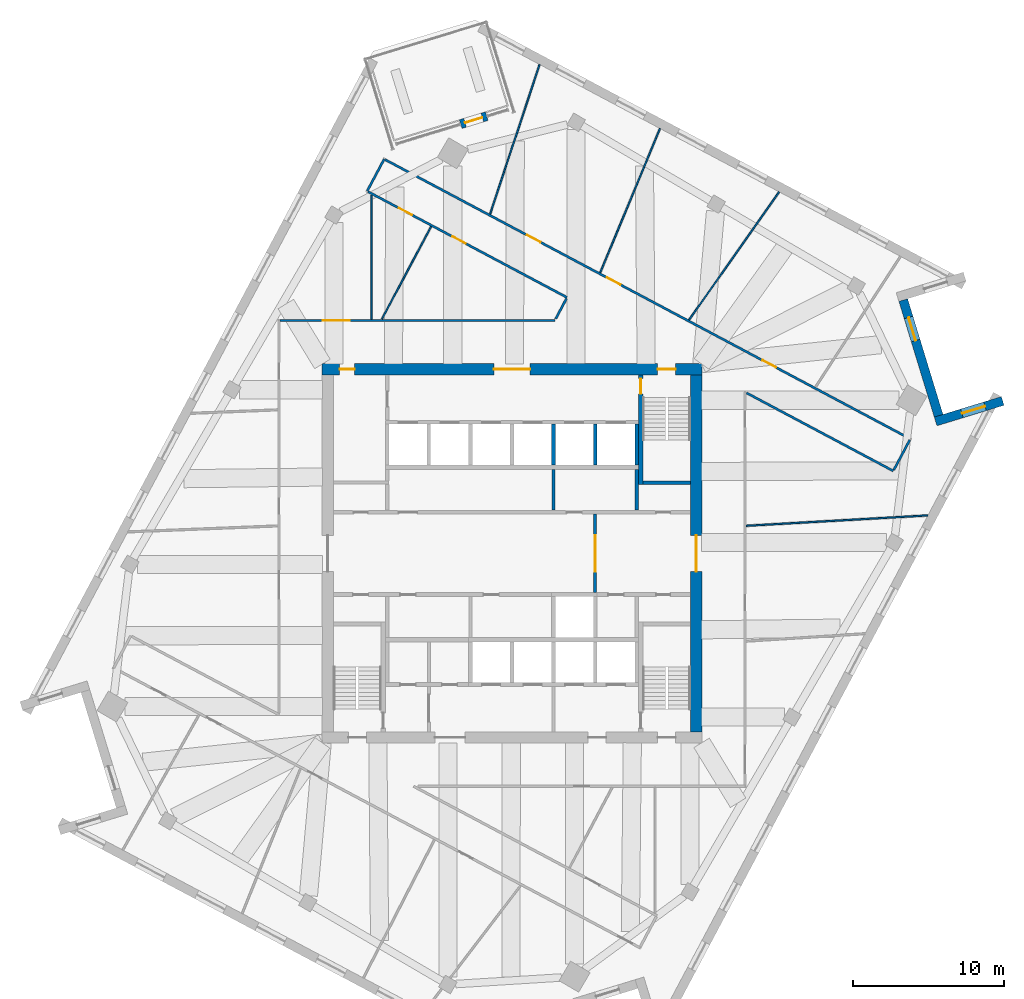
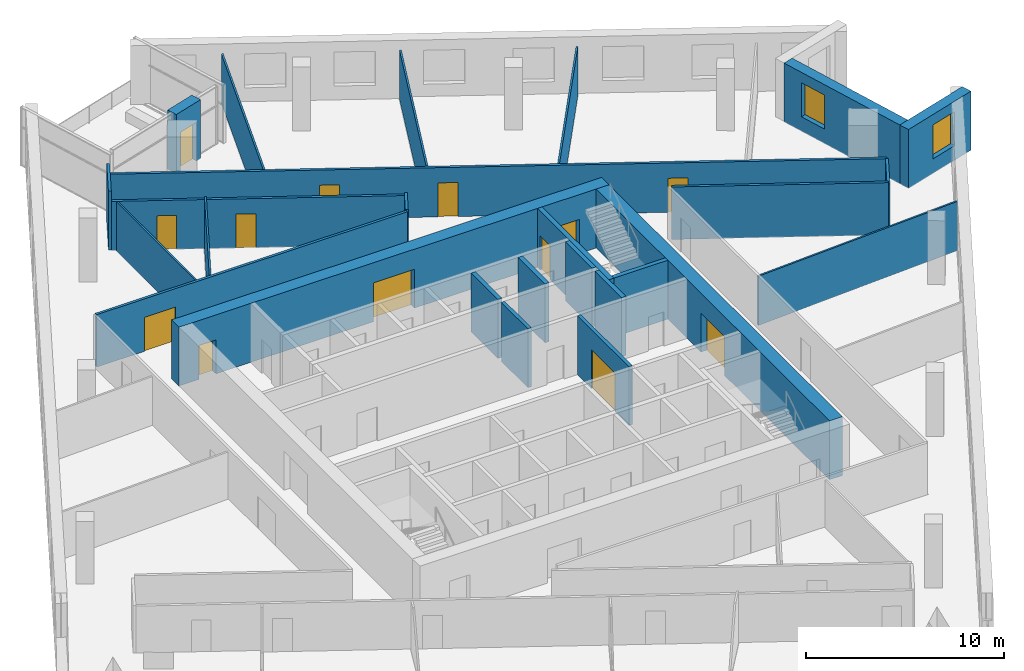
# One storey, part 10 of 13: 26 walls, 13 doors, 2 windows, 15 openings.
"""IFC4 building model written with IfcOpenShell, lengths in metres."""

from ifc_helpers import new_model, si_unit, direction, frame, frame_2d, origin, place, context, subcontext, project, spatial, rectangle, extrude, material, layer, layer_set, type_object, element, fill, save


model = new_model("IFC4")

# Units and contexts
model_context = context("Model", 3, precision=1e-05, world=origin(), true_north=direction((0.0, 1.0)))
body_context = subcontext(model_context, "Body", "Model", "MODEL_VIEW")
ifc_project = project(units=[si_unit("LENGTHUNIT", "METRE"), si_unit("AREAUNIT", "SQUARE_METRE"), si_unit("VOLUMEUNIT", "CUBIC_METRE"), si_unit("PLANEANGLEUNIT", "RADIAN"), si_unit("MASSUNIT", "GRAM", prefix="KILO")], contexts=[model_context])

# Site, building, storey
site_placement = place(None, origin())
site = spatial("IfcSite", under=ifc_project, at=site_placement, CompositionType="ELEMENT")
building_placement = place(site_placement, origin())
building = spatial("IfcBuilding", under=site, at=building_placement, Name="Dilmun Exchange Tower", CompositionType="ELEMENT")
storey_placement = place(building_placement, frame((0.0, 0.0, 278.89990234375)))
storey = spatial("IfcBuildingStorey", under=building, at=storey_placement, Name="L66", CompositionType="ELEMENT", Elevation=278.89990234375)

# Wall, opening, door
ifc_material_1 = material(Name="Concrete C40/50", Category="concrete")
ifc_layer_1 = layer(ifc_material_1, 0.199951171875)
ifc_layer_set_1 = layer_set([ifc_layer_1], Name="Concrete C40/50")
wall_type_1 = type_object("IfcWallType", Name="Core partition wall 200", PredefinedType="PARTITIONING", material=ifc_layer_set_1)
wall_1_placement = place(storey_placement, frame((5.5, -2.594970703125, 0.0), z_axis=(0.0, 0.0, 1.0), x_axis=(0.0, 1.0, 0.0)))
wall_1 = element("IfcWall", 1, at=wall_1_placement, inside=storey, type_object=wall_type_1, Name="L66 core partition wall 12", PredefinedType="PARTITIONING", context=body_context, shape_type="SweptSolid", body=[
    extrude(rectangle(XDim=5.18994140625, YDim=0.199951171875, at=frame_2d((2.594970703125, 0.0))), origin(), (0.0, 0.0, 1.0), 3.64013671875),
])
opening_1_placement = place(wall_1_placement, frame((1.39501953125, 0.0, 0.0)))
opening_1 = element("IfcOpeningElement", 2, at=opening_1_placement, cuts=wall_1, Name="Opening CD1", PredefinedType="OPENING", context=body_context, shape_type="SweptSolid", body=[
    extrude(rectangle(XDim=2.39990234375, YDim=2.39990234375, at=frame_2d((1.199951171875, 1.199951171875))), frame((0.0, 0.10986328125, 0.0), z_axis=(0.0, -1.0, 0.0), x_axis=(1.0, 0.0, 0.0)), (0.0, 0.0, 1.0), 0.219970703125),
])
ifc_material_2 = material(Name="Fire-rated steel door set", Category="steel")
door_type_1 = type_object("IfcDoorType", Name="Core lobby door 2400x2400", OperationType="DOUBLE_DOOR_DOUBLE_SWING", PredefinedType="DOOR", material=ifc_material_2)
door_1_placement = place(opening_1_placement, origin())
door_1 = element("IfcDoor", 3, at=door_1_placement, inside=storey, type_object=door_type_1, Name="L66 door Lift lobby east", OperationType="SINGLE_SWING_LEFT", OverallHeight=2.39990234375, OverallWidth=2.39990234375, PredefinedType="DOOR", context=body_context, shape_type="SweptSolid", body=[
    extrude(rectangle(XDim=2.39990234375, YDim=2.39990234375, at=frame_2d((1.199951171875, 1.199951171875))), frame((0.0, 0.02490234375, 0.0), z_axis=(0.0, -1.0, 0.0), x_axis=(1.0, 0.0, 0.0)), (0.0, 0.0, 1.0), 0.050048828125),
])
fill(opening_1, door_1)

# Walls
wall_2_placement = place(storey_placement, frame((2.75, 2.85498046875, 0.0), z_axis=(0.0, 0.0, 1.0), x_axis=(0.0, 1.0, 0.0)))
element("IfcWall", 4, at=wall_2_placement, inside=storey, type_object=wall_type_1, Name="L66 core partition wall 15", PredefinedType="PARTITIONING", context=body_context, shape_type="SweptSolid", body=[
    extrude(rectangle(XDim=2.68994140625, YDim=0.199951171875, at=frame_2d((1.344970703125, 0.0))), origin(), (0.0, 0.0, 1.0), 3.64013671875),
])
ifc_layer_2 = layer(ifc_material_1, 0.25)
ifc_layer_set_2 = layer_set([ifc_layer_2], Name="Concrete C40/50")
wall_type_2 = type_object("IfcWallType", Name="Core partition wall 250", PredefinedType="PARTITIONING", material=ifc_layer_set_2)
wall_3_placement = place(storey_placement, frame((8.25, 2.85498046875, 0.0), z_axis=(0.0, 0.0, 1.0), x_axis=(0.0, 1.0, 0.0)))
element("IfcWall", 5, at=wall_3_placement, inside=storey, type_object=wall_type_2, Name="L66 core partition wall 16", PredefinedType="PARTITIONING", context=body_context, shape_type="SweptSolid", body=[
    extrude(rectangle(XDim=2.68994140625, YDim=0.25, at=frame_2d((1.344970703125, 0.0))), origin(), (0.0, 0.0, 1.0), 3.64013671875),
])

# Wall, openings, doors
ifc_material_3 = material(Name="Concrete C50/60", Category="concrete")
ifc_layer_3 = layer(ifc_material_3, 0.75)
ifc_layer_set_3 = layer_set([ifc_layer_3], Name="Concrete C50/60")
wall_type_3 = type_object("IfcWallType", Name="Core shear wall 750 Concrete C50/60", PredefinedType="SHEAR", material=ifc_layer_set_3)
wall_4_placement = place(storey_placement, frame((-12.550048828125, 12.175048828125, 0.0), z_axis=(0.0, 0.0, 1.0), x_axis=(1.0, 0.0, 0.0)))
wall_4 = element("IfcWall", 6, at=wall_4_placement, inside=storey, type_object=wall_type_3, Name="L66 core shear wall N", PredefinedType="SHEAR", context=body_context, shape_type="SweptSolid", body=[
    extrude(rectangle(XDim=25.10009765625, YDim=0.75, at=frame_2d((12.550048828125, 0.0))), origin(), (0.0, 0.0, 1.0), 3.64013671875),
])
opening_2_placement = place(wall_4_placement, frame((11.35009765625, 0.0, 0.0)))
opening_2 = element("IfcOpeningElement", 7, at=opening_2_placement, cuts=wall_4, Name="Opening CD1", PredefinedType="OPENING", context=body_context, shape_type="SweptSolid", body=[
    extrude(rectangle(XDim=2.39990234375, YDim=2.39990234375, at=frame_2d((1.199951171875, 1.199951171875))), frame((0.0, 0.385009765625, 0.0), z_axis=(0.0, -1.0, 0.0), x_axis=(1.0, 0.0, 0.0)), (0.0, 0.0, 1.0), 0.77001953125),
])
opening_3_placement = place(wall_4_placement, frame((22.175048828125, 0.0, 0.0)))
opening_3 = element("IfcOpeningElement", 8, at=opening_3_placement, cuts=wall_4, Name="Opening CD3", PredefinedType="OPENING", context=body_context, shape_type="SweptSolid", body=[
    extrude(rectangle(XDim=1.199951171875, YDim=2.10009765625, at=frame_2d((0.60009765625, 1.050048828125))), frame((0.0, 0.385009765625, 0.0), z_axis=(0.0, -1.0, 0.0), x_axis=(1.0, 0.0, 0.0)), (0.0, 0.0, 1.0), 0.77001953125),
])
opening_4_placement = place(wall_4_placement, frame((1.14990234375, 0.0, 0.0)))
opening_4 = element("IfcOpeningElement", 9, at=opening_4_placement, cuts=wall_4, Name="Opening CD4", PredefinedType="OPENING", context=body_context, shape_type="SweptSolid", body=[
    extrude(rectangle(XDim=1.0, YDim=2.10009765625, at=frame_2d((0.5, 1.050048828125))), frame((0.0, 0.385009765625, 0.0), z_axis=(0.0, -1.0, 0.0), x_axis=(1.0, 0.0, 0.0)), (0.0, 0.0, 1.0), 0.77001953125),
])
door_2_placement = place(opening_2_placement, origin())
door_2 = element("IfcDoor", 10, at=door_2_placement, inside=storey, type_object=door_type_1, Name="L66 door North lift lobby", OperationType="SINGLE_SWING_LEFT", OverallHeight=2.39990234375, OverallWidth=2.39990234375, PredefinedType="DOOR", context=body_context, shape_type="SweptSolid", body=[
    extrude(rectangle(XDim=2.39990234375, YDim=2.39990234375, at=frame_2d((1.199951171875, 1.199951171875))), frame((0.0, 0.02490234375, 0.0), z_axis=(0.0, -1.0, 0.0), x_axis=(1.0, 0.0, 0.0)), (0.0, 0.0, 1.0), 0.050048828125),
])
fill(opening_2, door_2)
door_type_2 = type_object("IfcDoorType", Name="Core room door 1000x2100", OperationType="SINGLE_SWING_LEFT", PredefinedType="DOOR", material=ifc_material_2)
door_3_placement = place(opening_4_placement, origin())
door_3 = element("IfcDoor", 11, at=door_3_placement, inside=storey, type_object=door_type_2, Name="L66 door North-west core rooms", OperationType="SINGLE_SWING_LEFT", OverallHeight=2.10009765625, OverallWidth=1.0, PredefinedType="DOOR", context=body_context, shape_type="SweptSolid", body=[
    extrude(rectangle(XDim=1.0, YDim=2.10009765625, at=frame_2d((0.5, 1.050048828125))), frame((0.0, 0.02490234375, 0.0), z_axis=(0.0, -1.0, 0.0), x_axis=(1.0, 0.0, 0.0)), (0.0, 0.0, 1.0), 0.050048828125),
])
fill(opening_4, door_3)
door_type_3 = type_object("IfcDoorType", Name="Stair exit door 1200x2100", OperationType="SINGLE_SWING_LEFT", PredefinedType="DOOR", material=ifc_material_2)
door_4_placement = place(opening_3_placement, origin())
door_4 = element("IfcDoor", 12, at=door_4_placement, inside=storey, type_object=door_type_3, Name="L66 door Stair ST1", OperationType="SINGLE_SWING_LEFT", OverallHeight=2.10009765625, OverallWidth=1.199951171875, PredefinedType="DOOR", context=body_context, shape_type="SweptSolid", body=[
    extrude(rectangle(XDim=1.199951171875, YDim=2.10009765625, at=frame_2d((0.60009765625, 1.050048828125))), frame((0.0, 0.02490234375, 0.0), z_axis=(0.0, -1.0, 0.0), x_axis=(1.0, 0.0, 0.0)), (0.0, 0.0, 1.0), 0.050048828125),
])
fill(opening_3, door_4)

# Wall, opening, door
wall_5_placement = place(storey_placement, frame((12.175048828125, -11.800048828125, 0.0), z_axis=(0.0, 0.0, 1.0), x_axis=(0.0, 1.0, 0.0)))
wall_5 = element("IfcWall", 13, at=wall_5_placement, inside=storey, type_object=wall_type_3, Name="L66 core shear wall E", PredefinedType="SHEAR", context=body_context, shape_type="SweptSolid", body=[
    extrude(rectangle(XDim=23.60009765625, YDim=0.75, at=frame_2d((11.800048828125, 0.0))), origin(), (0.0, 0.0, 1.0), 3.64013671875),
])
opening_5_placement = place(wall_5_placement, frame((10.60009765625, 0.0, 0.0)))
opening_5 = element("IfcOpeningElement", 14, at=opening_5_placement, cuts=wall_5, Name="Opening CD1", PredefinedType="OPENING", context=body_context, shape_type="SweptSolid", body=[
    extrude(rectangle(XDim=2.39990234375, YDim=2.39990234375, at=frame_2d((1.199951171875, 1.199951171875))), frame((0.0, 0.385009765625, 0.0), z_axis=(0.0, -1.0, 0.0), x_axis=(1.0, 0.0, 0.0)), (0.0, 0.0, 1.0), 0.77001953125),
])
door_5_placement = place(opening_5_placement, origin())
door_5 = element("IfcDoor", 15, at=door_5_placement, inside=storey, type_object=door_type_1, Name="L66 door Central lift lobby", OperationType="SINGLE_SWING_LEFT", OverallHeight=2.39990234375, OverallWidth=2.39990234375, PredefinedType="DOOR", context=body_context, shape_type="SweptSolid", body=[
    extrude(rectangle(XDim=2.39990234375, YDim=2.39990234375, at=frame_2d((1.199951171875, 1.199951171875))), frame((0.0, 0.02490234375, 0.0), z_axis=(0.0, -1.0, 0.0), x_axis=(1.0, 0.0, 0.0)), (0.0, 0.0, 1.0), 0.050048828125),
])
fill(opening_5, door_5)

ifc_material_4 = material(Name="Corridor wall 150")
ifc_layer_4 = layer(ifc_material_4, 0.14990234375)
ifc_layer_set_4 = layer_set([ifc_layer_4], Name="Corridor wall 150")
wall_type_4 = type_object("IfcWallType", Name="Corridor wall 150", PredefinedType="PARTITIONING", material=ifc_layer_set_4)
wall_6_placement = place(storey_placement, frame((-15.324951171875, 15.39990234375, 0.0), z_axis=(0.0, 0.0, 1.0), x_axis=(1.0, 0.0, 0.0)))
wall_6 = element("IfcWall", 16, at=wall_6_placement, inside=storey, type_object=wall_type_4, Name="Corridor wall", PredefinedType="PARTITIONING", context=body_context, shape_type="SweptSolid", body=[
    extrude(rectangle(XDim=18.155029296875, YDim=0.14990234375, at=frame_2d((9.07763671875, 0.0))), origin(), (0.0, 0.0, 1.0), 3.239990234375),
])
opening_6_placement = place(wall_6_placement, frame((2.800048828125, 0.0, 0.0)))
opening_6 = element("IfcOpeningElement", 17, at=opening_6_placement, cuts=wall_6, Name="Opening TF65-D06", PredefinedType="OPENING", context=body_context, shape_type="SweptSolid", body=[
    extrude(rectangle(XDim=1.800048828125, YDim=2.10009765625, at=frame_2d((0.89990234375, 1.050048828125))), frame((0.0, 0.0849609375, 0.0), z_axis=(0.0, -1.0, 0.0), x_axis=(1.0, 0.0, 0.0)), (0.0, 0.0, 1.0), 0.169921875),
])
ifc_material_5 = material(Name="Fire door pair 1800 x 2100")
door_type_4 = type_object("IfcDoorType", Name="Fire door pair 1800 x 2100", OperationType="NOTDEFINED", PredefinedType="DOOR", material=ifc_material_5)
door_6_placement = place(opening_6_placement, origin())
door_6 = element("IfcDoor", 18, at=door_6_placement, inside=storey, type_object=door_type_4, Name="Door TF65-D06", OperationType="DOUBLE_DOOR_SINGLE_SWING", OverallHeight=2.10009765625, OverallWidth=1.800048828125, PredefinedType="DOOR", context=body_context, shape_type="SweptSolid", body=[
    extrude(rectangle(XDim=1.800048828125, YDim=2.10009765625, at=frame_2d((0.89990234375, 1.050048828125))), frame((0.0, 0.02490234375, 0.0), z_axis=(0.0, -1.0, 0.0), x_axis=(1.0, 0.0, 0.0)), (0.0, 0.0, 1.0), 0.050048828125),
])
fill(opening_6, door_6)

# Wall
wall_7_placement = place(storey_placement, frame((-9.577880859375, 23.948974609375, 0.0), z_axis=(0.0, 0.0, 1.0), x_axis=(0.469531998299, 0.882915456073, 0.0)))
element("IfcWall", 19, at=wall_7_placement, inside=storey, type_object=wall_type_4, Name="Corridor wall", PredefinedType="PARTITIONING", context=body_context, shape_type="SweptSolid", body=[
    extrude(rectangle(XDim=2.400146484375, YDim=0.14990234375, at=frame_2d((1.2001953125, 0.0))), origin(), (0.0, 0.0, 1.0), 3.64013671875),
])

# Wall, openings, doors
wall_8_placement = place(storey_placement, frame((-9.51171875, 23.913818359375, 0.0), z_axis=(0.0, 0.0, 1.0), x_axis=(0.882964773335, -0.469439249583, 0.0)))
wall_8 = element("IfcWall", 20, at=wall_8_placement, inside=storey, type_object=wall_type_4, Name="Corridor wall", PredefinedType="PARTITIONING", context=body_context, shape_type="SweptSolid", body=[
    extrude(rectangle(XDim=14.893798828125, YDim=0.14990234375, at=frame_2d((7.44677734375, 0.0))), origin(), (0.0, 0.0, 1.0), 3.0400390625),
])
opening_7_placement = place(wall_8_placement, frame((2.29638671875, 0.0, 0.0)))
opening_7 = element("IfcOpeningElement", 21, at=opening_7_placement, cuts=wall_8, Name="Opening TF65-D08", PredefinedType="OPENING", context=body_context, shape_type="SweptSolid", body=[
    extrude(rectangle(XDim=1.0, YDim=2.10009765625, at=frame_2d((0.5, 1.050048828125))), frame((0.0, 0.0849609375, 0.0), z_axis=(0.0, -1.0, 0.0), x_axis=(1.0, 0.0, 0.0)), (0.0, 0.0, 1.0), 0.169921875),
])
opening_8_placement = place(wall_8_placement, frame((6.306640625, 0.0, 0.0)))
opening_8 = element("IfcOpeningElement", 22, at=opening_8_placement, cuts=wall_8, Name="Opening TF65-D10", PredefinedType="OPENING", context=body_context, shape_type="SweptSolid", body=[
    extrude(rectangle(XDim=1.0, YDim=2.10009765625, at=frame_2d((0.5, 1.050048828125))), frame((0.0, 0.0849609375, 0.0), z_axis=(0.0, -1.0, 0.0), x_axis=(1.0, 0.0, 0.0)), (0.0, 0.0, 1.0), 0.169921875),
])
ifc_material_6 = material(Name="Fire door 1000 x 2100")
door_type_5 = type_object("IfcDoorType", Name="Fire door 1000 x 2100", OperationType="NOTDEFINED", PredefinedType="DOOR", material=ifc_material_6)
door_7_placement = place(opening_7_placement, frame((1.0, 0.0, 0.0), z_axis=(0.0, 0.0, 1.0), x_axis=(-1.0, 0.0, 0.0)))
door_7 = element("IfcDoor", 23, at=door_7_placement, inside=storey, type_object=door_type_5, Name="Door TF65-D08", OperationType="SINGLE_SWING_RIGHT", OverallHeight=2.10009765625, OverallWidth=1.0, PredefinedType="DOOR", context=body_context, shape_type="SweptSolid", body=[
    extrude(rectangle(XDim=1.0, YDim=2.10009765625, at=frame_2d((0.5, 1.050048828125))), frame((0.0, 0.02490234375, 0.0), z_axis=(0.0, -1.0, 0.0), x_axis=(1.0, 0.0, 0.0)), (0.0, 0.0, 1.0), 0.050048828125),
])
fill(opening_7, door_7)
door_8_placement = place(opening_8_placement, frame((1.0, 0.0, 0.0), z_axis=(0.0, 0.0, 1.0), x_axis=(-1.0, 0.0, 0.0)))
door_8 = element("IfcDoor", 24, at=door_8_placement, inside=storey, type_object=door_type_5, Name="Door TF65-D10", OperationType="SINGLE_SWING_LEFT", OverallHeight=2.10009765625, OverallWidth=1.0, PredefinedType="DOOR", context=body_context, shape_type="SweptSolid", body=[
    extrude(rectangle(XDim=1.0, YDim=2.10009765625, at=frame_2d((0.5, 1.050048828125))), frame((0.0, 0.02490234375, 0.0), z_axis=(0.0, -1.0, 0.0), x_axis=(1.0, 0.0, 0.0)), (0.0, 0.0, 1.0), 0.050048828125),
])
fill(opening_8, door_8)

wall_9_placement = place(storey_placement, frame((-8.384765625, 26.03271484375, 0.0), z_axis=(0.0, 0.0, 1.0), x_axis=(0.882949433839, -0.46946810039, 0.0)))
wall_9 = element("IfcWall", 25, at=wall_9_placement, inside=storey, type_object=wall_type_4, Name="Corridor wall", PredefinedType="PARTITIONING", context=body_context, shape_type="SweptSolid", body=[
    extrude(rectangle(XDim=39.32470703125, YDim=0.14990234375, at=frame_2d((19.662353515625, 0.0))), origin(), (0.0, 0.0, 1.0), 3.0400390625),
])
opening_9_placement = place(wall_9_placement, frame((10.6220703125, 0.0, 0.0)))
opening_9 = element("IfcOpeningElement", 26, at=opening_9_placement, cuts=wall_9, Name="Opening TF65-D12", PredefinedType="OPENING", context=body_context, shape_type="SweptSolid", body=[
    extrude(rectangle(XDim=1.0, YDim=2.10009765625, at=frame_2d((0.5, 1.050048828125))), frame((0.0, 0.0849609375, 0.0), z_axis=(0.0, -1.0, 0.0), x_axis=(1.0, 0.0, 0.0)), (0.0, 0.0, 1.0), 0.169921875),
])
opening_10_placement = place(wall_9_placement, frame((16.615478515625, 0.0, 0.0)))
opening_10 = element("IfcOpeningElement", 27, at=opening_10_placement, cuts=wall_9, Name="Opening TF65-D16", PredefinedType="OPENING", context=body_context, shape_type="SweptSolid", body=[
    extrude(rectangle(XDim=1.0, YDim=2.10009765625, at=frame_2d((0.5, 1.050048828125))), frame((0.0, 0.0849609375, 0.0), z_axis=(0.0, -1.0, 0.0), x_axis=(1.0, 0.0, 0.0)), (0.0, 0.0, 1.0), 0.169921875),
])
opening_11_placement = place(wall_9_placement, frame((28.254150390625, 0.0, 0.0)))
opening_11 = element("IfcOpeningElement", 28, at=opening_11_placement, cuts=wall_9, Name="Opening TF65-D17", PredefinedType="OPENING", context=body_context, shape_type="SweptSolid", body=[
    extrude(rectangle(XDim=1.0, YDim=2.10009765625, at=frame_2d((0.5, 1.050048828125))), frame((0.0, 0.0849609375, 0.0), z_axis=(0.0, -1.0, 0.0), x_axis=(1.0, 0.0, 0.0)), (0.0, 0.0, 1.0), 0.169921875),
])
door_9_placement = place(opening_9_placement, origin())
door_9 = element("IfcDoor", 29, at=door_9_placement, inside=storey, type_object=door_type_5, Name="Door TF65-D12", OperationType="SINGLE_SWING_RIGHT", OverallHeight=2.10009765625, OverallWidth=1.0, PredefinedType="DOOR", context=body_context, shape_type="SweptSolid", body=[
    extrude(rectangle(XDim=1.0, YDim=2.10009765625, at=frame_2d((0.5, 1.050048828125))), frame((0.0, 0.02490234375, 0.0), z_axis=(0.0, -1.0, 0.0), x_axis=(1.0, 0.0, 0.0)), (0.0, 0.0, 1.0), 0.050048828125),
])
fill(opening_9, door_9)
door_10_placement = place(opening_10_placement, origin())
door_10 = element("IfcDoor", 30, at=door_10_placement, inside=storey, type_object=door_type_5, Name="Door TF65-D16", OperationType="SINGLE_SWING_LEFT", OverallHeight=2.10009765625, OverallWidth=1.0, PredefinedType="DOOR", context=body_context, shape_type="SweptSolid", body=[
    extrude(rectangle(XDim=1.0, YDim=2.10009765625, at=frame_2d((0.5, 1.050048828125))), frame((0.0, 0.02490234375, 0.0), z_axis=(0.0, -1.0, 0.0), x_axis=(1.0, 0.0, 0.0)), (0.0, 0.0, 1.0), 0.050048828125),
])
fill(opening_10, door_10)
door_11_placement = place(opening_11_placement, origin())
door_11 = element("IfcDoor", 31, at=door_11_placement, inside=storey, type_object=door_type_5, Name="Door TF65-D17", OperationType="SINGLE_SWING_RIGHT", OverallHeight=2.10009765625, OverallWidth=1.0, PredefinedType="DOOR", context=body_context, shape_type="SweptSolid", body=[
    extrude(rectangle(XDim=1.0, YDim=2.10009765625, at=frame_2d((0.5, 1.050048828125))), frame((0.0, 0.02490234375, 0.0), z_axis=(0.0, -1.0, 0.0), x_axis=(1.0, 0.0, 0.0)), (0.0, 0.0, 1.0), 0.050048828125),
])
fill(opening_11, door_11)

# Walls
wall_10_placement = place(storey_placement, frame((2.888671875, 15.51025390625, 0.0), z_axis=(0.0, 0.0, 1.0), x_axis=(0.469315326783, 0.883030647286, 0.0)))
element("IfcWall", 32, at=wall_10_placement, inside=storey, type_object=wall_type_4, Name="Corridor wall", PredefinedType="PARTITIONING", context=body_context, shape_type="SweptSolid", body=[
    extrude(rectangle(XDim=1.523681640625, YDim=0.14990234375, at=frame_2d((0.76171875, 0.0))), origin(), (0.0, 0.0, 1.0), 3.239990234375),
])
wall_11_placement = place(storey_placement, frame((15.51025390625, 10.609375, 0.0), z_axis=(0.0, 0.0, 1.0), x_axis=(0.882945895242, -0.469474755525, 0.0)))
element("IfcWall", 33, at=wall_11_placement, inside=storey, type_object=wall_type_4, Name="Corridor wall", PredefinedType="PARTITIONING", context=body_context, shape_type="SweptSolid", body=[
    extrude(rectangle(XDim=10.985595703125, YDim=0.14990234375, at=frame_2d((5.49267578125, 0.0))), origin(), (0.0, 0.0, 1.0), 3.239990234375),
])
wall_12_placement = place(storey_placement, frame((25.2451171875, 5.518310546875, 0.0), z_axis=(0.0, 0.0, 1.0), x_axis=(0.469596777995, 0.882881003361, 0.0)))
element("IfcWall", 34, at=wall_12_placement, inside=storey, type_object=wall_type_4, Name="Corridor wall", PredefinedType="PARTITIONING", context=body_context, shape_type="SweptSolid", body=[
    extrude(rectangle(XDim=2.25, YDim=0.14990234375, at=frame_2d((1.125, 0.0))), origin(), (0.0, 0.0, 1.0), 3.0400390625),
])
ifc_layer_5 = layer(ifc_material_1, 0.25)
ifc_layer_set_5 = layer_set([ifc_layer_5], Name="Concrete C40/50")
wall_type_5 = type_object("IfcWallType", Name="Lift shaft wall 250", PredefinedType="SOLIDWALL", material=ifc_layer_set_5)
for number, where, z_axis, x_axis, name in (
    (35, (2.75, 5.85009765625, 0.0), (0.0, 0.0, 1.0), (0.0, 1.0, 0.0), "L66 lift shaft divider N24"),
    (36, (5.5, 5.85009765625, 0.0), (0.0, 0.0, 1.0), (0.0, 1.0, 0.0), "L66 lift shaft divider N25"),
    (37, (8.25, 5.85009765625, 0.0), (0.0, 0.0, 1.0), (0.0, 1.0, 0.0), "L66 lift shaft divider N26"),
):
    element("IfcWall", number, at=place(storey_placement, frame(where, z_axis=z_axis, x_axis=x_axis)), inside=storey, type_object=wall_type_5, Name=name, PredefinedType="SOLIDWALL", context=body_context, shape_type="SweptSolid", body=[
        extrude(rectangle(XDim=2.699951171875, YDim=0.25, at=frame_2d((1.35009765625, 0.0))), origin(), (0.0, 0.0, 1.0), 3.64013671875),
    ])
ifc_material_7 = material(Name="Partition 100")
ifc_layer_6 = layer(ifc_material_7, 0.10009765625)
ifc_layer_set_6 = layer_set([ifc_layer_6], Name="Partition 100")
wall_type_6 = type_object("IfcWallType", Name="Partition 100", PredefinedType="PARTITIONING", material=ifc_layer_set_6)
wall_13_placement = place(storey_placement, frame((-9.2939453125, 15.47509765625, 0.0), z_axis=(0.0, 0.0, 1.0), x_axis=(0.0, 1.0, 0.0)))
element("IfcWall", 38, at=wall_13_placement, inside=storey, type_object=wall_type_6, Name="Partition", PredefinedType="PARTITIONING", context=body_context, shape_type="SweptSolid", body=[
    extrude(rectangle(XDim=8.21142578125, YDim=0.10009765625, at=frame_2d((4.105712890625, 0.0))), origin(), (0.0, 0.0, 1.0), 3.0400390625),
])
wall_14_placement = place(storey_placement, frame((-8.5986328125, 15.49853515625, 0.0), z_axis=(0.0, 0.0, 1.0), x_axis=(0.469406036047, 0.882982430925, 0.0)))
element("IfcWall", 39, at=wall_14_placement, inside=storey, type_object=wall_type_6, Name="Partition", PredefinedType="PARTITIONING", context=body_context, shape_type="SweptSolid", body=[
    extrude(rectangle(XDim=6.9267578125, YDim=0.10009765625, at=frame_2d((3.46337890625, 0.0))), origin(), (0.0, 0.0, 1.0), 3.239990234375),
])
wall_15_placement = place(storey_placement, frame((-1.4453125, 22.4384765625, 0.0), z_axis=(0.0, 0.0, 1.0), x_axis=(0.313673627087, 0.949530860831, 0.0)))
element("IfcWall", 40, at=wall_15_placement, inside=storey, type_object=wall_type_6, Name="Partition", PredefinedType="PARTITIONING", context=body_context, shape_type="SweptSolid", body=[
    extrude(rectangle(XDim=10.4140625, YDim=0.10009765625, at=frame_2d((5.20703125, 0.0))), origin(), (0.0, 0.0, 1.0), 3.0400390625),
])
wall_16_placement = place(storey_placement, frame((5.834716796875, 18.56298828125, 0.0), z_axis=(0.0, 0.0, 1.0), x_axis=(0.382702237667, 0.923871742876, 0.0)))
element("IfcWall", 41, at=wall_16_placement, inside=storey, type_object=wall_type_6, Name="Partition", PredefinedType="PARTITIONING", context=body_context, shape_type="SweptSolid", body=[
    extrude(rectangle(XDim=10.316162109375, YDim=0.10009765625, at=frame_2d((5.158203125, 0.0))), origin(), (0.0, 0.0, 1.0), 3.0400390625),
])
wall_17_placement = place(storey_placement, frame((11.708984375, 15.44091796875, 0.0), z_axis=(0.0, 0.0, 1.0), x_axis=(0.575721307139, 0.817645997058, 0.0)))
element("IfcWall", 42, at=wall_17_placement, inside=storey, type_object=wall_type_6, Name="Partition", PredefinedType="PARTITIONING", context=body_context, shape_type="SweptSolid", body=[
    extrude(rectangle(XDim=10.347900390625, YDim=0.10009765625, at=frame_2d((5.173828125, 0.0))), origin(), (0.0, 0.0, 1.0), 3.0400390625),
])
wall_18_placement = place(storey_placement, frame((15.477783203125, 1.825439453125, 0.0), z_axis=(0.0, 0.0, 1.0), x_axis=(0.998373479071, 0.057012246819, 0.0)))
element("IfcWall", 43, at=wall_18_placement, inside=storey, type_object=wall_type_6, Name="Partition", PredefinedType="PARTITIONING", context=body_context, shape_type="SweptSolid", body=[
    extrude(rectangle(XDim=12.037353515625, YDim=0.10009765625, at=frame_2d((6.0185546875, 0.0))), origin(), (0.0, 0.0, 1.0), 3.0400390625),
])

# Wall, opening, window
ifc_material_8 = material(Name="Precast concrete C50/60", Category="concrete")
ifc_layer_7 = layer(ifc_material_8, 0.60009765625)
ifc_layer_set_7 = layer_set([ifc_layer_7], Name="Precast concrete C50/60")
wall_type_7 = type_object("IfcWallType", Name="Precast stone-clad wall 600", PredefinedType="STANDARD", material=ifc_layer_set_7)
wall_19_placement = place(storey_placement, frame((32.44189453125, 10.080322265625, 0.0), z_axis=(0.0, 0.0, 1.0), x_axis=(-0.956306994041, -0.2923643842, 0.0)))
wall_19 = element("IfcWall", 44, at=wall_19_placement, inside=storey, type_object=wall_type_7, Name="Facade wall L66-12", PredefinedType="STANDARD", context=body_context, shape_type="SweptSolid", body=[
    extrude(rectangle(XDim=4.635498046875, YDim=0.60009765625, at=frame_2d((2.31787109375, 0.0))), origin(), (0.0, 0.0, 1.0), 3.64013671875),
])
opening_12_placement = place(wall_19_placement, frame((1.2177734375, 0.0, 0.89990234375)))
opening_12 = element("IfcOpeningElement", 45, at=opening_12_placement, cuts=wall_19, Name="Opening W160-210", PredefinedType="OPENING", context=body_context, shape_type="SweptSolid", body=[
    extrude(rectangle(XDim=1.60009765625, YDim=2.10009765625, at=frame_2d((0.800048828125, 1.050048828125))), frame((0.0, 0.31005859375, 0.0), z_axis=(0.0, -1.0, 0.0), x_axis=(1.0, 0.0, 0.0)), (0.0, 0.0, 1.0), 0.6201171875),
])
ifc_material_9 = material(Name="Clear low-emissivity glass in aluminium frame", Category="aluminium")
window_type = type_object("IfcWindowType", Name="Punched window 1600 x 2100", PartitioningType="DOUBLE_PANEL_VERTICAL", PredefinedType="WINDOW", material=ifc_material_9)
window_1_placement = place(opening_12_placement, origin())
window_1 = element("IfcWindow", 46, at=window_1_placement, inside=storey, type_object=window_type, Name="Window 13.1", OverallHeight=2.10009765625, OverallWidth=1.60009765625, PartitioningType="SINGLE_PANEL", PredefinedType="WINDOW", context=body_context, shape_type="SweptSolid", body=[
    extrude(rectangle(XDim=1.60009765625, YDim=2.10009765625, at=frame_2d((0.800048828125, 1.050048828125))), frame((0.0, 0.030029296875, 0.0), z_axis=(0.0, -1.0, 0.0), x_axis=(1.0, 0.0, 0.0)), (0.0, 0.0, 1.0), 0.06005859375),
])
fill(opening_12, window_1)

wall_20_placement = place(storey_placement, frame((28.208251953125, 9.099609375, 0.0), z_axis=(0.0, 0.0, 1.0), x_axis=(-0.292389102139, 0.956299436866, 0.0)))
wall_20 = element("IfcWall", 47, at=wall_20_placement, inside=storey, type_object=wall_type_7, Name="Facade wall L66-13", PredefinedType="STANDARD", context=body_context, shape_type="SweptSolid", body=[
    extrude(rectangle(XDim=8.0, YDim=0.60009765625, at=frame_2d((4.0, 0.0))), origin(), (0.0, 0.0, 1.0), 3.64013671875),
])
opening_13_placement = place(wall_20_placement, frame((5.199951171875, 0.0, 0.89990234375)))
opening_13 = element("IfcOpeningElement", 48, at=opening_13_placement, cuts=wall_20, Name="Opening W160-210", PredefinedType="OPENING", context=body_context, shape_type="SweptSolid", body=[
    extrude(rectangle(XDim=1.60009765625, YDim=2.10009765625, at=frame_2d((0.800048828125, 1.050048828125))), frame((0.0, 0.31005859375, 0.0), z_axis=(0.0, -1.0, 0.0), x_axis=(1.0, 0.0, 0.0)), (0.0, 0.0, 1.0), 0.6201171875),
])
window_2_placement = place(opening_13_placement, origin())
window_2 = element("IfcWindow", 49, at=window_2_placement, inside=storey, type_object=window_type, Name="Window 14.2", OverallHeight=2.10009765625, OverallWidth=1.60009765625, PartitioningType="SINGLE_PANEL", PredefinedType="WINDOW", context=body_context, shape_type="SweptSolid", body=[
    extrude(rectangle(XDim=1.60009765625, YDim=2.10009765625, at=frame_2d((0.800048828125, 1.050048828125))), frame((0.0, 0.030029296875, 0.0), z_axis=(0.0, -1.0, 0.0), x_axis=(1.0, 0.0, 0.0)), (0.0, 0.0, 1.0), 0.06005859375),
])
fill(opening_13, window_2)

# Wall, opening, door
wall_21_placement = place(storey_placement, frame((-1.6708984375, 28.910888671875, 0.0), z_axis=(0.0, 0.0, 1.0), x_axis=(-0.956293645939, -0.292408041504, 0.0)))
wall_21 = element("IfcWall", 50, at=wall_21_placement, inside=storey, type_object=wall_type_7, Name="Facade wall L66-01-D", PredefinedType="STANDARD", context=body_context, shape_type="SweptSolid", body=[
    extrude(rectangle(XDim=1.800048828125, YDim=0.60009765625, at=frame_2d((0.89990234375, 0.0))), origin(), (0.0, 0.0, 1.0), 3.64013671875),
])
opening_14_placement = place(wall_21_placement, frame((0.300048828125, 0.0, 0.0)))
opening_14 = element("IfcOpeningElement", 51, at=opening_14_placement, cuts=wall_21, Name="Opening GD-1", PredefinedType="OPENING", context=body_context, shape_type="SweptSolid", body=[
    extrude(rectangle(XDim=1.199951171875, YDim=2.39990234375, at=frame_2d((0.60009765625, 1.199951171875))), frame((0.0, 0.31005859375, 0.0), z_axis=(0.0, -1.0, 0.0), x_axis=(1.0, 0.0, 0.0)), (0.0, 0.0, 1.0), 0.6201171875),
])
door_type_6 = type_object("IfcDoorType", Name="Glazed garden door 1200 x 2400", OperationType="SINGLE_SWING_LEFT", PredefinedType="DOOR", material=ifc_material_9)
door_12_placement = place(opening_14_placement, origin())
door_12 = element("IfcDoor", 52, at=door_12_placement, inside=storey, type_object=door_type_6, Name="Garden terrace door", OperationType="SINGLE_SWING_LEFT", OverallHeight=2.39990234375, OverallWidth=1.199951171875, PredefinedType="DOOR", context=body_context, shape_type="SweptSolid", body=[
    extrude(rectangle(XDim=1.199951171875, YDim=2.39990234375, at=frame_2d((0.60009765625, 1.199951171875))), frame((0.0, 0.02490234375, 0.0), z_axis=(0.0, -1.0, 0.0), x_axis=(1.0, 0.0, 0.0)), (0.0, 0.0, 1.0), 0.050048828125),
])
fill(opening_14, door_12)

# Wall
ifc_layer_8 = layer(ifc_material_1, 0.25)
ifc_layer_set_8 = layer_set([ifc_layer_8], Name="Concrete C40/50")
wall_type_8 = type_object("IfcWallType", Name="Stair end wall 250", PredefinedType="SOLIDWALL", material=ifc_layer_set_8)
wall_22_placement = place(storey_placement, frame((8.64990234375, 4.675048828125, 0.0), z_axis=(0.0, 0.0, 1.0), x_axis=(1.0, 0.0, 0.0)))
element("IfcWall", 53, at=wall_22_placement, inside=storey, type_object=wall_type_8, Name="L66 ST1 far wall", PredefinedType="SOLIDWALL", context=body_context, shape_type="SweptSolid", body=[
    extrude(rectangle(XDim=3.150146484375, YDim=0.25, at=frame_2d((1.5751953125, 0.0))), origin(), (0.0, 0.0, 1.0), 3.64013671875),
])

# Wall, opening, door
ifc_layer_9 = layer(ifc_material_1, 0.27490234375)
ifc_layer_set_9 = layer_set([ifc_layer_9], Name="Concrete C40/50")
wall_type_9 = type_object("IfcWallType", Name="Stair wall 275", PredefinedType="SOLIDWALL", material=ifc_layer_set_9)
wall_23_placement = place(storey_placement, frame((8.512451171875, 4.550048828125, 0.0), z_axis=(0.0, 0.0, 1.0), x_axis=(0.0, 1.0, 0.0)))
wall_23 = element("IfcWall", 54, at=wall_23_placement, inside=storey, type_object=wall_type_9, Name="L66 ST1 wall to lift block", PredefinedType="SOLIDWALL", context=body_context, shape_type="SweptSolid", body=[
    extrude(rectangle(XDim=7.25, YDim=0.27490234375, at=frame_2d((3.625, 0.0))), origin(), (0.0, 0.0, 1.0), 3.64013671875),
])
opening_15_placement = place(wall_23_placement, frame((6.0, 0.0, 0.0)))
opening_15 = element("IfcOpeningElement", 55, at=opening_15_placement, cuts=wall_23, Name="Opening CD4", PredefinedType="OPENING", context=body_context, shape_type="SweptSolid", body=[
    extrude(rectangle(XDim=1.0, YDim=2.10009765625, at=frame_2d((0.5, 1.050048828125))), frame((0.0, 0.1474609375, 0.0), z_axis=(0.0, -1.0, 0.0), x_axis=(1.0, 0.0, 0.0)), (0.0, 0.0, 1.0), 0.294921875),
])
door_13_placement = place(opening_15_placement, origin())
door_13 = element("IfcDoor", 56, at=door_13_placement, inside=storey, type_object=door_type_2, Name="L66 door ST1 from lobby", OperationType="SINGLE_SWING_LEFT", OverallHeight=2.10009765625, OverallWidth=1.0, PredefinedType="DOOR", context=body_context, shape_type="SweptSolid", body=[
    extrude(rectangle(XDim=1.0, YDim=2.10009765625, at=frame_2d((0.5, 1.050048828125))), frame((0.0, 0.02490234375, 0.0), z_axis=(0.0, -1.0, 0.0), x_axis=(1.0, 0.0, 0.0)), (0.0, 0.0, 1.0), 0.050048828125),
])
fill(opening_15, door_13)

save(model, "model.ifc")
